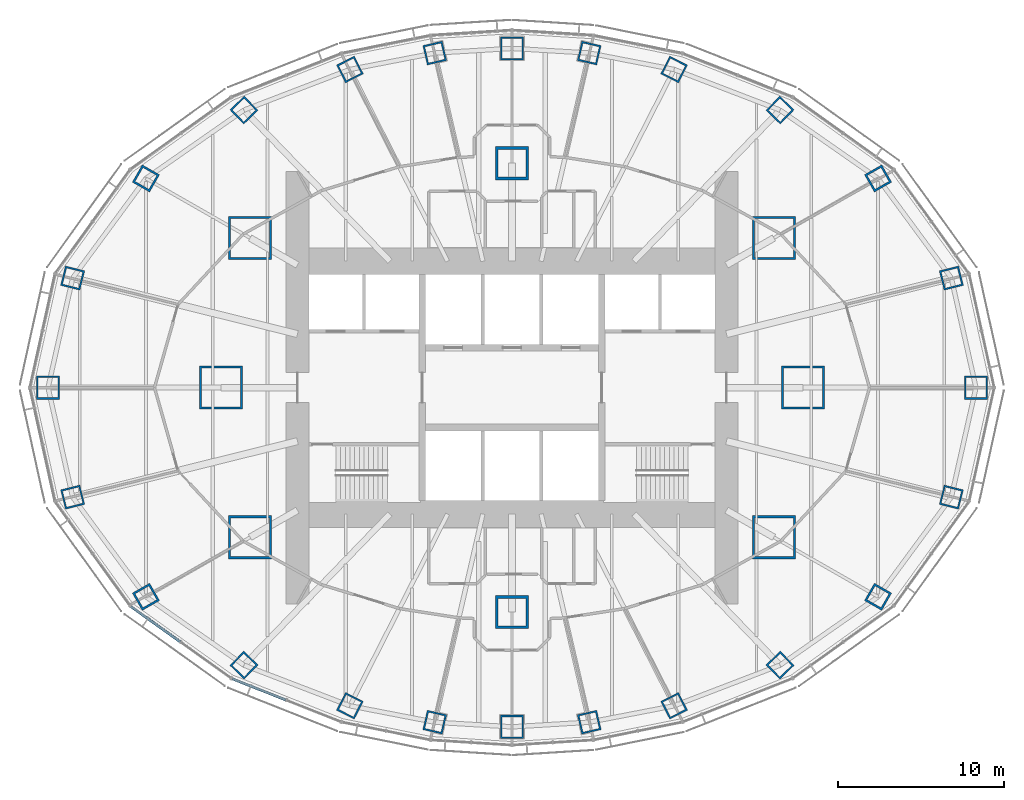
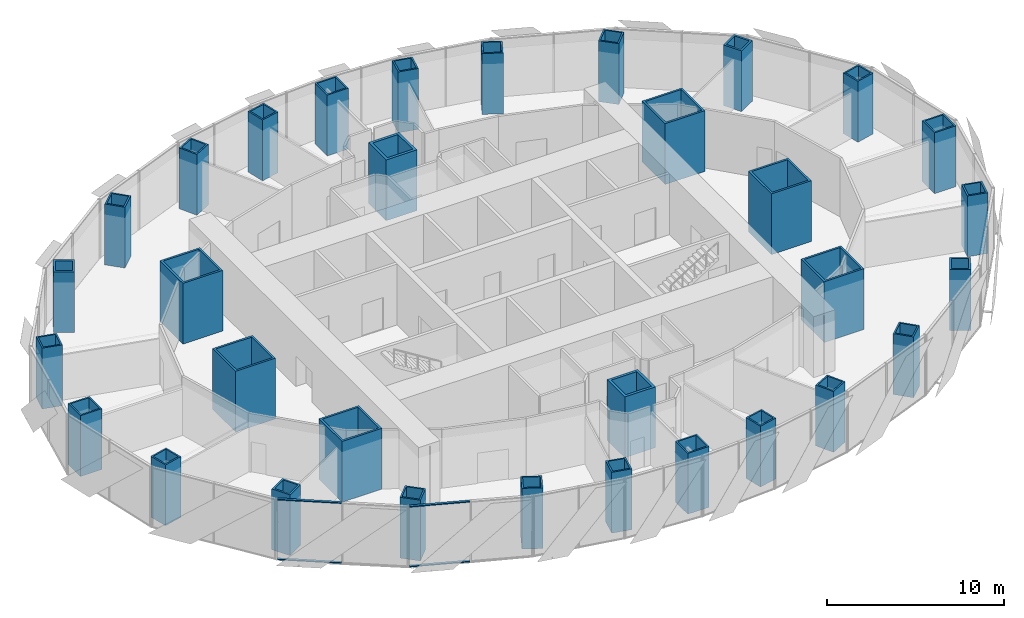
# One storey, part 1 of 17: 32 columns, 4 members, 2 elements without a shape of their own.
"""IFC4 building model written with IfcOpenShell, lengths in metres."""

from ifc_helpers import new_model, si_unit, direction, frame, origin, origin_2d, place, context, subcontext, project, spatial, rectangle, hollow_rectangle, extrude, material, material_profile, profile_set, type_object, element, aggregate, save


model = new_model("IFC4")

# Units and contexts
model_context = context("Model", 3, precision=1e-05, world=origin(), true_north=direction((0.0, 1.0)))
body_context = subcontext(model_context, "Body", "Model", "MODEL_VIEW")
ifc_project = project(units=[si_unit("LENGTHUNIT", "METRE"), si_unit("AREAUNIT", "SQUARE_METRE"), si_unit("VOLUMEUNIT", "CUBIC_METRE"), si_unit("PLANEANGLEUNIT", "RADIAN"), si_unit("MASSUNIT", "GRAM", prefix="KILO")], contexts=[model_context])

# Site, building, storey
site_placement = place(None, origin())
site = spatial("IfcSite", under=ifc_project, at=site_placement, CompositionType="ELEMENT")
building_placement = place(site_placement, origin())
building = spatial("IfcBuilding", under=site, at=building_placement, Name="Lantaw Convention Tower", CompositionType="ELEMENT")
storey_placement = place(building_placement, frame((0.0, 0.0, 155.199951171875)))
storey = spatial("IfcBuildingStorey", under=building, at=storey_placement, Name="L36", CompositionType="ELEMENT", Elevation=155.199951171875)

# Columns
ifc_material_1 = material(Name="Steel EN 10025-3 S460N", Category="steel")
ifc_material_profile_1 = material_profile(ifc_material_1, hollow_rectangle(XDim=2.0, YDim=2.0, WallThickness=0.169921875, at=origin_2d()), Name="BOX2000X170")
ifc_material_2 = material(Name="Concrete C60/75", Category="concrete")
ifc_material_profile_2 = material_profile(ifc_material_2, rectangle(XDim=1.659912109375, YDim=1.659912109375, at=origin_2d()), Name="Concrete fill of BOX2000X170")
ifc_profile_set_1 = profile_set([ifc_material_profile_1, ifc_material_profile_2], Name="Steel EN 10025-3 S460N")
column_type_1 = type_object("IfcColumnType", Name="Column MC BOX2000X170", PredefinedType="COLUMN", material=ifc_profile_set_1)
for number, where, z_axis, x_axis, name in (
    (1, (0.0, 13.5, 0.0), (0.0, 0.0, 1.0), (1.0, 0.0, 0.0), "Mega column M3"),
    (2, (0.0, -13.5, 0.0), (0.0, 0.0, 1.0), (1.0, 0.0, 0.0), "Mega column M7"),
):
    element("IfcColumn", number, at=place(storey_placement, frame(where, z_axis=z_axis, x_axis=x_axis)), inside=storey, type_object=column_type_1, Name=name, PredefinedType="COLUMN", context=body_context, shape_type="SweptSolid", body=[
        extrude(hollow_rectangle(XDim=2.0, YDim=2.0, WallThickness=0.169921875, at=origin_2d()), origin(), (0.0, 0.0, 1.0), 4.199951171875),
    ])
ifc_material_profile_3 = material_profile(ifc_material_1, hollow_rectangle(XDim=2.60009765625, YDim=2.60009765625, WallThickness=0.1298828125, at=origin_2d()), Name="BOX2600X130")
ifc_material_profile_4 = material_profile(ifc_material_2, rectangle(XDim=2.340087890625, YDim=2.340087890625, at=origin_2d()), Name="Concrete fill of BOX2600X130")
ifc_profile_set_2 = profile_set([ifc_material_profile_3, ifc_material_profile_4], Name="Steel EN 10025-3 S460N")
column_type_2 = type_object("IfcColumnType", Name="Column MC BOX2600X130", PredefinedType="COLUMN", material=ifc_profile_set_2)
for number, where, z_axis, x_axis, name in (
    (3, (17.5, 0.0, 0.0), (0.0, 0.0, 1.0), (1.0, 0.0, 0.0), "Mega column M1"),
    (4, (15.75, 9.0, 0.0), (0.0, 0.0, 1.0), (1.0, 0.0, 0.0), "Mega column M2"),
    (5, (-15.75, 9.0, 0.0), (0.0, 0.0, 1.0), (1.0, 0.0, 0.0), "Mega column M4"),
    (6, (-17.5, 0.0, 0.0), (0.0, 0.0, 1.0), (1.0, 0.0, 0.0), "Mega column M5"),
    (7, (-15.75, -9.0, 0.0), (0.0, 0.0, 1.0), (1.0, 0.0, 0.0), "Mega column M6"),
    (8, (15.75, -9.0, 0.0), (0.0, 0.0, 1.0), (1.0, 0.0, 0.0), "Mega column M8"),
):
    element("IfcColumn", number, at=place(storey_placement, frame(where, z_axis=z_axis, x_axis=x_axis)), inside=storey, type_object=column_type_2, Name=name, PredefinedType="COLUMN", context=body_context, shape_type="SweptSolid", body=[
        extrude(hollow_rectangle(XDim=2.60009765625, YDim=2.60009765625, WallThickness=0.1298828125, at=origin_2d()), origin(), (0.0, 0.0, 1.0), 4.199951171875),
    ])
ifc_material_profile_5 = material_profile(ifc_material_1, hollow_rectangle(XDim=1.199951171875, YDim=1.199951171875, WallThickness=0.10009765625, at=origin_2d()), Name="BOX1200X100")
ifc_material_profile_6 = material_profile(ifc_material_2, rectangle(XDim=1.0, YDim=1.0, at=origin_2d()), Name="Concrete fill of BOX1200X100")
ifc_profile_set_3 = profile_set([ifc_material_profile_5, ifc_material_profile_6], Name="Steel EN 10025-3 S460N")
column_type_3 = type_object("IfcColumnType", Name="Column PC BOX1200X100", PredefinedType="COLUMN", material=ifc_profile_set_3)
for number, where, z_axis, x_axis, name in (
    (9, (26.419921875, 6.587158203125, 0.0), (0.0, 0.0, 1.0), (0.970295726276, 0.2419218956, 0.0), "Perimeter column P2"),
    (10, (16.11767578125, 16.690185546875, 0.0), (0.0, 0.0, 1.0), (0.694658370459, 0.719339800339, 0.0), "Perimeter column P4"),
    (11, (9.74853515625, 19.1328125, 0.0), (0.0, 0.0, 1.0), (0.45399049974, 0.891006524188, 0.0), "Perimeter column P5"),
    (12, (4.64501953125, 20.1201171875, 0.0), (0.0, 0.0, 1.0), (0.224951054344, 0.974370064785, 0.0), "Perimeter column P6"),
    (13, (-4.64501953125, 20.1201171875, 0.0), (0.0, 0.0, 1.0), (0.974370064785, 0.224951054344, 0.0), "Perimeter column P8"),
    (14, (-9.74853515625, 19.1328125, 0.0), (0.0, 0.0, 1.0), (0.891006524188, 0.45399049974, 0.0), "Perimeter column P9"),
    (15, (-16.11767578125, 16.690185546875, 0.0), (0.0, 0.0, 1.0), (0.719339800339, 0.694658370459, 0.0), "Perimeter column P10"),
    (16, (-26.419921875, 6.587158203125, 0.0), (0.0, 0.0, 1.0), (0.2419218956, 0.970295726276, 0.0), "Perimeter column P12"),
    (17, (-26.419921875, -6.587158203125, 0.0), (0.0, 0.0, 1.0), (0.970295726276, 0.2419218956, 0.0), "Perimeter column P14"),
    (18, (-16.11767578125, -16.690185546875, 0.0), (0.0, 0.0, 1.0), (0.694658370459, 0.719339800339, 0.0), "Perimeter column P16"),
    (19, (-9.74853515625, -19.1328125, 0.0), (0.0, 0.0, 1.0), (0.45399049974, 0.891006524188, 0.0), "Perimeter column P17"),
    (20, (-4.64501953125, -20.1201171875, 0.0), (0.0, 0.0, 1.0), (0.224951054344, 0.974370064785, 0.0), "Perimeter column P18"),
    (21, (4.64501953125, -20.1201171875, 0.0), (0.0, 0.0, 1.0), (0.974370064785, 0.224951054344, 0.0), "Perimeter column P20"),
    (22, (9.74853515625, -19.1328125, 0.0), (0.0, 0.0, 1.0), (0.891006524188, 0.45399049974, 0.0), "Perimeter column P21"),
    (23, (16.11767578125, -16.690185546875, 0.0), (0.0, 0.0, 1.0), (0.719339800339, 0.694658370459, 0.0), "Perimeter column P22"),
    (24, (26.419921875, -6.587158203125, 0.0), (0.0, 0.0, 1.0), (0.2419218956, 0.970295726276, 0.0), "Perimeter column P24"),
):
    element("IfcColumn", number, at=place(storey_placement, frame(where, z_axis=z_axis, x_axis=x_axis)), inside=storey, type_object=column_type_3, Name=name, PredefinedType="COLUMN", context=body_context, shape_type="SweptSolid", body=[
        extrude(hollow_rectangle(XDim=1.199951171875, YDim=1.199951171875, WallThickness=0.10009765625, at=origin_2d()), origin(), (0.0, 0.0, 1.0), 4.199951171875),
    ])
ifc_material_profile_7 = material_profile(ifc_material_1, hollow_rectangle(XDim=1.199951171875, YDim=1.199951171875, WallThickness=0.1201171875, at=origin_2d()), Name="BOX1200X120")
ifc_material_profile_8 = material_profile(ifc_material_2, rectangle(XDim=0.9599609375, YDim=0.9599609375, at=origin_2d()), Name="Concrete fill of BOX1200X120")
ifc_profile_set_4 = profile_set([ifc_material_profile_7, ifc_material_profile_8], Name="Steel EN 10025-3 S460N")
column_type_4 = type_object("IfcColumnType", Name="Column PC BOX1200X120", PredefinedType="COLUMN", material=ifc_profile_set_4)
for number, where, z_axis, x_axis, name in (
    (25, (22.013916015625, 12.579345703125, 0.0), (0.0, 0.0, 1.0), (0.86824298017, 0.496139221777, 0.0), "Perimeter column P3"),
    (26, (-22.013916015625, 12.579345703125, 0.0), (0.0, 0.0, 1.0), (0.496139221777, 0.86824298017, 0.0), "Perimeter column P11"),
    (27, (-22.013916015625, -12.579345703125, 0.0), (0.0, 0.0, 1.0), (0.86824298017, 0.496139221777, 0.0), "Perimeter column P15"),
    (28, (22.013916015625, -12.579345703125, 0.0), (0.0, 0.0, 1.0), (0.496139221777, 0.86824298017, 0.0), "Perimeter column P23"),
):
    element("IfcColumn", number, at=place(storey_placement, frame(where, z_axis=z_axis, x_axis=x_axis)), inside=storey, type_object=column_type_4, Name=name, PredefinedType="COLUMN", context=body_context, shape_type="SweptSolid", body=[
        extrude(hollow_rectangle(XDim=1.199951171875, YDim=1.199951171875, WallThickness=0.1201171875, at=origin_2d()), origin(), (0.0, 0.0, 1.0), 4.199951171875),
    ])
ifc_material_profile_9 = material_profile(ifc_material_1, hollow_rectangle(XDim=1.39990234375, YDim=1.39990234375, WallThickness=0.10009765625, at=origin_2d()), Name="BOX1400X100")
ifc_material_profile_10 = material_profile(ifc_material_2, rectangle(XDim=1.199951171875, YDim=1.199951171875, at=origin_2d()), Name="Concrete fill of BOX1400X100")
ifc_profile_set_5 = profile_set([ifc_material_profile_9, ifc_material_profile_10], Name="Steel EN 10025-3 S460N")
column_type_5 = type_object("IfcColumnType", Name="Column PC BOX1400X100", PredefinedType="COLUMN", material=ifc_profile_set_5)
for number, where, z_axis, x_axis, name in (
    (29, (27.89990234375, 0.0, 0.0), (0.0, 0.0, 1.0), (1.0, 0.0, 0.0), "Perimeter column P1"),
    (30, (0.0, 20.39990234375, 0.0), (0.0, 0.0, 1.0), (1.0, 0.0, 0.0), "Perimeter column P7"),
    (31, (-27.89990234375, 0.0, 0.0), (0.0, 0.0, 1.0), (1.0, 0.0, 0.0), "Perimeter column P13"),
    (32, (0.0, -20.39990234375, 0.0), (0.0, 0.0, 1.0), (1.0, 0.0, 0.0), "Perimeter column P19"),
):
    element("IfcColumn", number, at=place(storey_placement, frame(where, z_axis=z_axis, x_axis=x_axis)), inside=storey, type_object=column_type_5, Name=name, PredefinedType="COLUMN", context=body_context, shape_type="SweptSolid", body=[
        extrude(hollow_rectangle(XDim=1.39990234375, YDim=1.39990234375, WallThickness=0.10009765625, at=origin_2d()), origin(), (0.0, 0.0, 1.0), 4.199951171875),
    ])

# Curtain wall, members
ifc_material_3 = material(Name="Aluminium framed curtain wall", Category="aluminium")
curtain_wall_type = type_object("IfcCurtainWallType", Name="Office curtain wall low rise, pale aluminium", PredefinedType="USERDEFINED", material=ifc_material_3)
curtain_wall_1_placement = place(storey_placement, origin())
curtain_wall_1 = element("IfcCurtainWall", 33, at=curtain_wall_1_placement, inside=storey, type_object=curtain_wall_type, Name="Office curtain wall low rise, pale aluminium L36", ObjectType="UNITISED CURTAIN WALL", PredefinedType="USERDEFINED")
ifc_material_4 = material(Name="Aluminium 6063-T6", Category="aluminium")
ifc_material_profile_11 = material_profile(ifc_material_4, rectangle(XDim=0.159912109375, YDim=0.06494140625, at=origin_2d()), Name="CW-O1 transom 65x160")
ifc_profile_set_6 = profile_set([ifc_material_profile_11], Name="Aluminium 6063-T6")
member_type = type_object("IfcMemberType", Name="CW-O1 transom 65x160", PredefinedType="USERDEFINED", material=ifc_profile_set_6)
member_1_placement = place(storey_placement, frame((-22.916259765625, -13.1630859375, -0.117431640625), z_axis=(0.813221785972, -0.581953887194, 0.0), x_axis=(0.581953887194, 0.813221785972, 0.0)))
member_1 = element("IfcMember", 34, at=member_1_placement, type_object=member_type, Name="CW-O1 transom 1.1", ObjectType="TRANSOM", PredefinedType="USERDEFINED", context=body_context, shape_type="SweptSolid", body=[
    extrude(rectangle(XDim=0.159912109375, YDim=0.06494140625, at=origin_2d()), origin(), (0.0, 0.0, 1.0), 3.645263671875),
])
member_2_placement = place(storey_placement, frame((-22.916259765625, -13.1630859375, 4.017578125), z_axis=(0.813221785972, -0.581953887194, 0.0), x_axis=(0.581953887194, 0.813221785972, 0.0)))
member_2 = element("IfcMember", 35, at=member_2_placement, type_object=member_type, Name="CW-O1 transom 1.2", ObjectType="TRANSOM", PredefinedType="USERDEFINED", context=body_context, shape_type="SweptSolid", body=[
    extrude(rectangle(XDim=0.159912109375, YDim=0.06494140625, at=origin_2d()), origin(), (0.0, 0.0, 1.0), 3.645263671875),
])
aggregate(curtain_wall_1, [member_1, member_2])

curtain_wall_2_placement = place(storey_placement, origin())
curtain_wall_2 = element("IfcCurtainWall", 36, at=curtain_wall_2_placement, inside=storey, type_object=curtain_wall_type, Name="Office curtain wall low rise, pale aluminium L36", ObjectType="UNITISED CURTAIN WALL", PredefinedType="USERDEFINED")
member_3_placement = place(storey_placement, frame((-16.8212890625, -17.505615234375, -0.117431640625), z_axis=(0.929564188507, -0.368660303592, 0.0), x_axis=(0.368660303592, 0.929564188507, 0.0)))
member_3 = element("IfcMember", 37, at=member_3_placement, type_object=member_type, Name="CW-O1 transom 1.1", ObjectType="TRANSOM", PredefinedType="USERDEFINED", context=body_context, shape_type="SweptSolid", body=[
    extrude(rectangle(XDim=0.159912109375, YDim=0.06494140625, at=origin_2d()), origin(), (0.0, 0.0, 1.0), 3.470703125),
])
member_4_placement = place(storey_placement, frame((-16.8212890625, -17.505615234375, 4.017578125), z_axis=(0.929564188507, -0.368660303592, 0.0), x_axis=(0.368660303592, 0.929564188507, 0.0)))
member_4 = element("IfcMember", 38, at=member_4_placement, type_object=member_type, Name="CW-O1 transom 1.2", ObjectType="TRANSOM", PredefinedType="USERDEFINED", context=body_context, shape_type="SweptSolid", body=[
    extrude(rectangle(XDim=0.159912109375, YDim=0.06494140625, at=origin_2d()), origin(), (0.0, 0.0, 1.0), 3.470703125),
])
aggregate(curtain_wall_2, [member_3, member_4])

save(model, "model.ifc")
